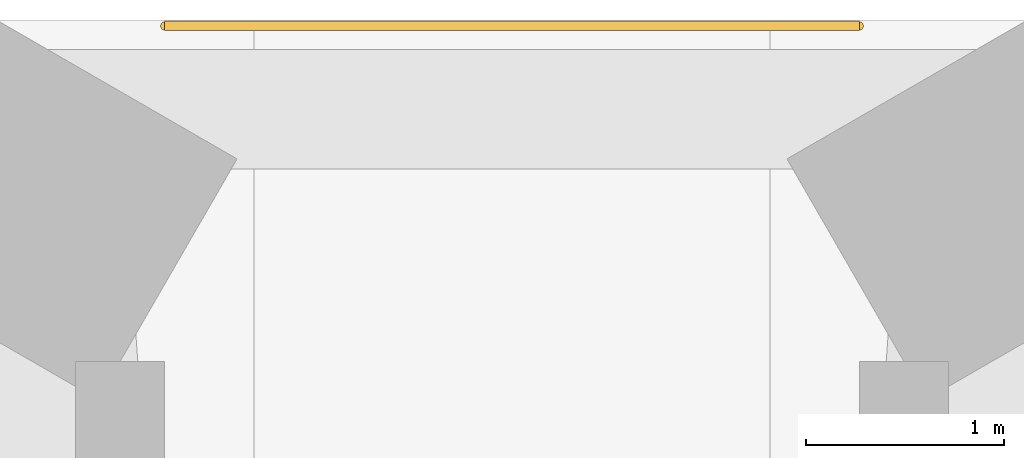
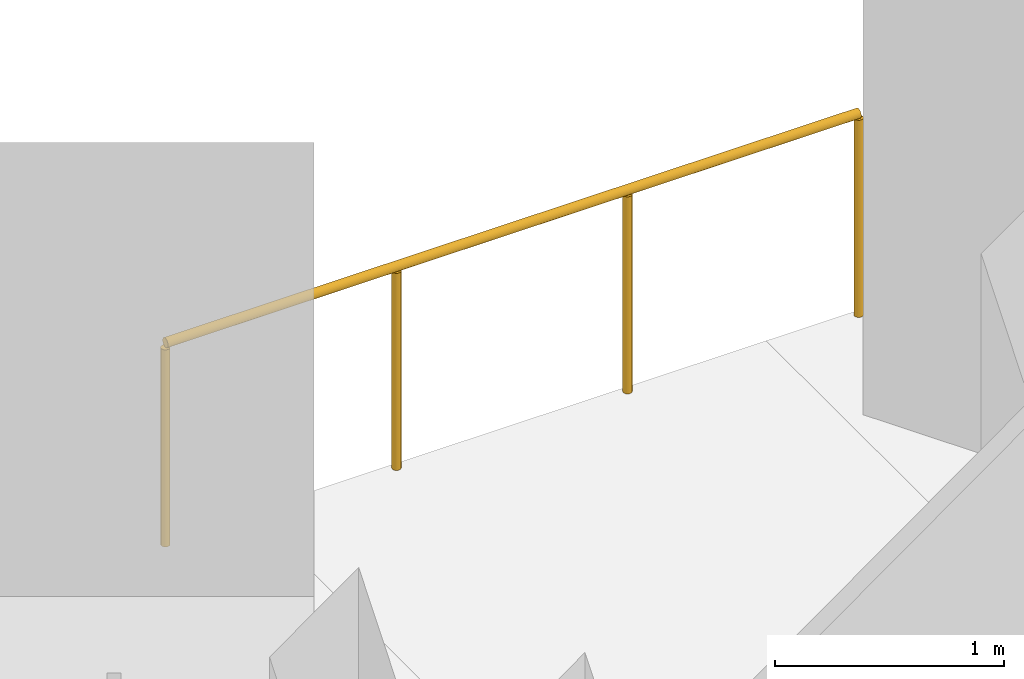
# One storey, part 20 of 20: 1 railing.
"""IFC4 building model written with IfcOpenShell, lengths in metres."""

from ifc_helpers import new_model, si_unit, direction, frame, origin, origin_2d, place, context, subcontext, project, spatial, circle, extrude, material, type_object, element, save


model = new_model("IFC4")

# Units and contexts
model_context = context("Model", 3, precision=1e-05, world=origin(), true_north=direction((0.0, 1.0)))
body_context = subcontext(model_context, "Body", "Model", "MODEL_VIEW")
ifc_project = project(units=[si_unit("LENGTHUNIT", "METRE"), si_unit("AREAUNIT", "SQUARE_METRE"), si_unit("VOLUMEUNIT", "CUBIC_METRE"), si_unit("PLANEANGLEUNIT", "RADIAN"), si_unit("MASSUNIT", "GRAM", prefix="KILO")], contexts=[model_context])

# Site, building, storey
site_placement = place(None, origin())
site = spatial("IfcSite", under=ifc_project, at=site_placement, CompositionType="ELEMENT")
building_placement = place(site_placement, origin())
building = spatial("IfcBuilding", under=site, at=building_placement, Name="Tramontana Tower", CompositionType="ELEMENT")
storey_placement = place(building_placement, frame((0.0, 0.0, 15.0)))
storey = spatial("IfcBuildingStorey", under=building, at=storey_placement, Name="L02", CompositionType="ELEMENT", Elevation=15.0)

# Railing
ifc_material = material(Name="Laminated glass balustrade", Category="glass")
railing_type = type_object("IfcRailingType", Name="GD1 Loggia glass balustrade 1100", PredefinedType="BALUSTRADE", material=ifc_material)
railing_placement = place(storey_placement, frame((-1.75, 33.469970703125, 0.0)))
element("IfcRailing", 1, at=railing_placement, inside=storey, type_object=railing_type, Name="Corner loggia balustrade L02 K00", PredefinedType="BALUSTRADE", context=body_context, shape_type="SweptSolid", body=[
    extrude(circle(Radius=0.02392578125, at=origin_2d()), frame((0.0, 0.0, 1.076171875), z_axis=(1.0, 0.0, 0.0), x_axis=(0.0, 1.0, 0.0)), (0.0, 0.0, 1.0), 3.5),
    extrude(circle(Radius=0.02099609375, at=origin_2d()), origin(), (0.0, 0.0, 1.0), 1.052001953125),
    extrude(circle(Radius=0.02099609375, at=origin_2d()), frame((1.166748046875, 0.0, 0.0)), (0.0, 0.0, 1.0), 1.052001953125),
    extrude(circle(Radius=0.02099609375, at=origin_2d()), frame((2.333251953125, 0.0, 0.0)), (0.0, 0.0, 1.0), 1.052001953125),
    extrude(circle(Radius=0.02099609375, at=origin_2d()), frame((3.5, 0.0, 0.0)), (0.0, 0.0, 1.0), 1.052001953125),
])

save(model, "model.ifc")
